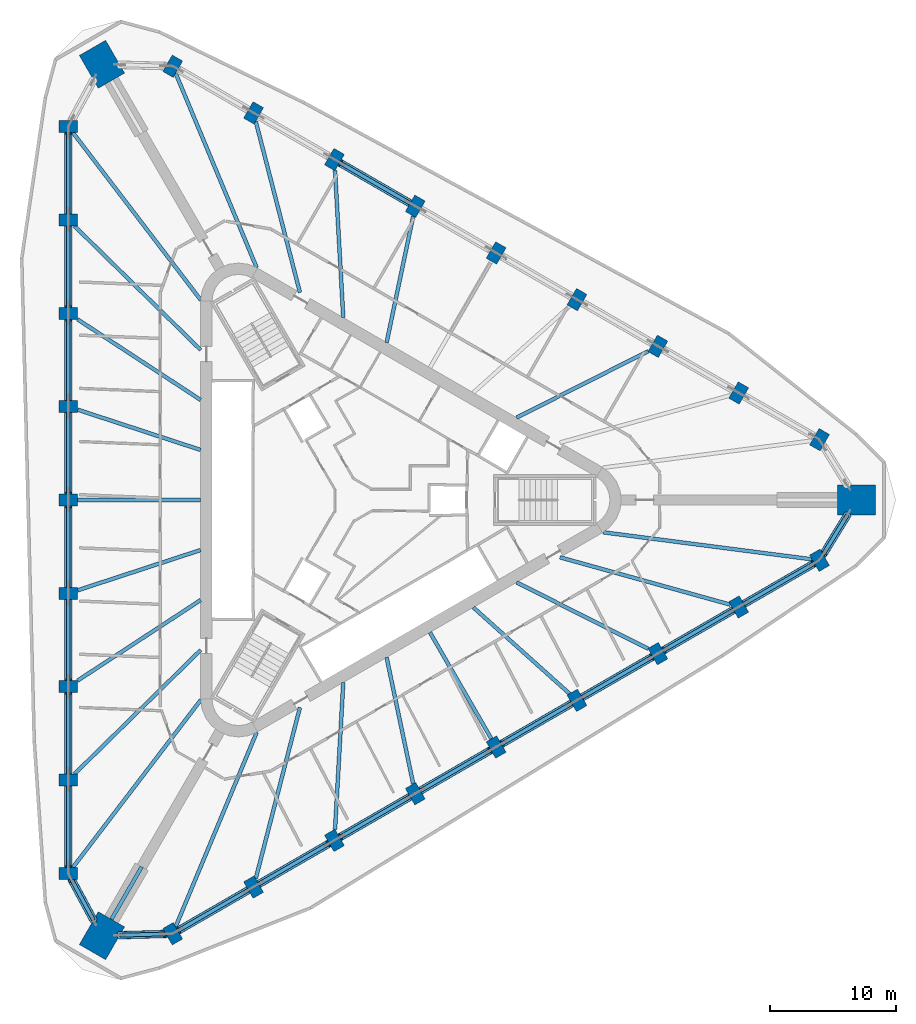
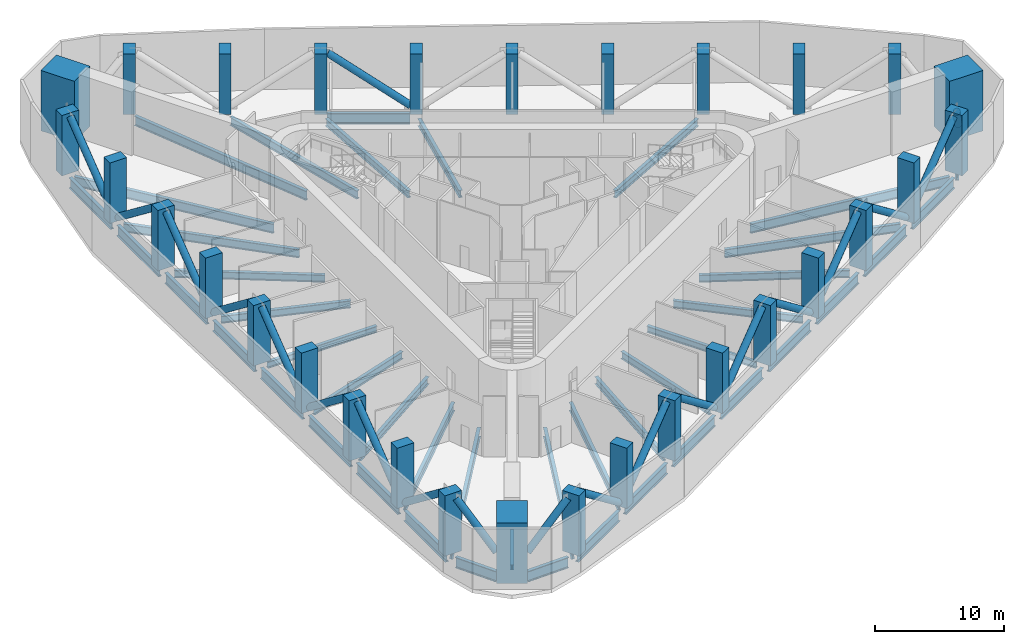
# One storey, part 1 of 13: 44 beams, 30 columns, 20 members.
"""IFC4 building model written with IfcOpenShell, lengths in metres."""

import ifcopenshell
import ifcopenshell.guid

model = None  # the IFC model being written
_history = None  # IfcOwnerHistory: only IFC2X3 demands one
_inside = {}  # id of a spatial element -> (the spatial element, [elements in it])
_under = {}  # id of a project, library or spatial element -> (it, [spatial elements below it])
_declared = {}  # id of a project -> (the project, [libraries it declares])
_typed = {}  # id of a type object -> (the type object, [elements of that type])
_made_of = {}  # id of a material, layer set ... -> (it, [elements and type objects made of it])


def new_model(schema):
    """Start an empty IFC model of exactly this schema.

    Asked for "IFC4X3", IfcOpenShell would pick the latest addendum, in which some entities
    have other attributes; the version numbers below select the first issue.
    IFC2X3 requires an IfcOwnerHistory on every rooted entity: one is made here for all.
    """
    global model, _history
    if schema == "IFC4X3":
        model = ifcopenshell.file(schema_version=(4, 3, 0, 0))
    else:
        model = ifcopenshell.file(schema=schema)
    _inside.clear()
    _under.clear()
    _declared.clear()
    _typed.clear()
    _made_of.clear()
    _history = None
    if model.schema == "IFC2X3":
        org = make("IfcOrganization", Name="unknown")
        user = make(
            "IfcPersonAndOrganization",
            ThePerson=make("IfcPerson", FamilyName="unknown"),
            TheOrganization=org,
        )
        app = make(
            "IfcApplication",
            ApplicationDeveloper=org,
            Version="unknown",
            ApplicationFullName="unknown",
            ApplicationIdentifier="unknown",
        )
        _history = make(
            "IfcOwnerHistory",
            OwningUser=user,
            OwningApplication=app,
            ChangeAction="ADDED",
            CreationDate=0,
        )
    return model


def make(cls, **values):
    """One entity of the class cls with the attributes given. An attribute that is None is left unset."""
    return model.create_entity(
        cls, **{name: value for name, value in values.items() if value is not None}
    )


def rooted(cls, **values):
    """An entity with a GlobalId (a new one), such as an element, a storey or a relation."""
    return make(cls, GlobalId=ifcopenshell.guid.new(), OwnerHistory=_history, **values)


def si_unit(unit_type, name, prefix=None):
    """IfcSIUnit, for example si_unit("LENGTHUNIT", "METRE", prefix="MILLI")."""
    return make("IfcSIUnit", UnitType=unit_type, Prefix=prefix, Name=name)


def assignment(units):
    """IfcUnitAssignment: the units of a project."""
    return None if units is None else make("IfcUnitAssignment", Units=units)


def point(xyz):
    """IfcCartesianPoint."""
    return None if xyz is None else make("IfcCartesianPoint", Coordinates=xyz)


def direction(xyz):
    """IfcDirection."""
    return None if xyz is None else make("IfcDirection", DirectionRatios=xyz)


def frame(location, z_axis=None, x_axis=None):
    """IfcAxis2Placement3D, a coordinate frame: its origin and axes. An axis left out is left unset."""
    return make(
        "IfcAxis2Placement3D",
        Location=point(location),
        Axis=direction(z_axis),
        RefDirection=direction(x_axis),
    )


def frame_2d(location, x_axis=None):
    """IfcAxis2Placement2D, a coordinate frame in the plane: its origin and x axis."""
    return make(
        "IfcAxis2Placement2D", Location=point(location), RefDirection=direction(x_axis)
    )


def origin():
    """The frame at (0, 0, 0) with its axes left unset."""
    return frame((0.0, 0.0, 0.0))


def origin_2d():
    """The frame at (0, 0) in the plane with its x axis left unset."""
    return frame_2d((0.0, 0.0))


def place(relative_to, where):
    """IfcLocalPlacement: puts the frame where relative to a parent placement (None: the world)."""
    return make(
        "IfcLocalPlacement", PlacementRelTo=relative_to, RelativePlacement=where
    )


def context(
    kind, dimensions, precision=None, world=None, true_north=None, identifier=None
):
    """IfcGeometricRepresentationContext, for example the 3D "Model" context."""
    return make(
        "IfcGeometricRepresentationContext",
        ContextIdentifier=identifier,
        ContextType=kind,
        CoordinateSpaceDimension=dimensions,
        Precision=precision,
        WorldCoordinateSystem=world,
        TrueNorth=true_north,
    )


def subcontext(parent, identifier, kind, view, scale=None):
    """IfcGeometricRepresentationSubContext, for example "Body" below "Model"."""
    return make(
        "IfcGeometricRepresentationSubContext",
        ContextIdentifier=identifier,
        ContextType=kind,
        ParentContext=parent,
        TargetScale=scale,
        TargetView=view,
    )


def project(units=None, contexts=None):
    """IfcProject with its units and contexts."""
    return rooted(
        "IfcProject",
        Name="project",
        RepresentationContexts=contexts,
        UnitsInContext=assignment(units),
    )


def spatial(cls, under=None, at=None, **own):
    """A site, building, storey or space (cls), placed at a placement, below another one or the project."""
    s = rooted(cls, ObjectPlacement=at, **own)
    if under is not None:
        _under.setdefault(under.id(), (under, []))[1].append(s)
    return s


def profile(cls, at=None, kind="AREA", **sizes):
    """A parametric profile (cls). Its sizes go by their IFC names, for example OverallWidth=200.0."""
    return make(cls, ProfileType=kind, Position=at, **sizes)


def rectangle(**sizes):
    """IfcRectangleProfileDef."""
    return profile("IfcRectangleProfileDef", **sizes)


def hollow_circle(**sizes):
    """IfcCircleHollowProfileDef."""
    return profile("IfcCircleHollowProfileDef", **sizes)


def i_section(**sizes):
    """IfcIShapeProfileDef."""
    return profile("IfcIShapeProfileDef", **sizes)


def extrude(swept, where, along, depth):
    """IfcExtrudedAreaSolid: the profile swept, set in the frame where, extruded along a direction by depth."""
    return make(
        "IfcExtrudedAreaSolid",
        SweptArea=swept,
        Position=where,
        ExtrudedDirection=direction(along),
        Depth=depth,
    )


def shape(context_of_items, identifier, shape_type, items):
    """IfcShapeRepresentation: the items that make up one representation, for example the "Body"."""
    return make(
        "IfcShapeRepresentation",
        ContextOfItems=context_of_items,
        RepresentationIdentifier=identifier,
        RepresentationType=shape_type,
        Items=items,
    )


def material(Name=None, Category=None):
    """IfcMaterial."""
    return make("IfcMaterial", Name=Name, Category=Category)


def material_profile(
    of_material, cross_section, Name=None, Category=None, Priority=None
):
    """IfcMaterialProfile: a cross section and its material."""
    return make(
        "IfcMaterialProfile",
        Name=Name,
        Material=of_material,
        Profile=cross_section,
        Priority=Priority,
        Category=Category,
    )


def profile_set(profiles, Name=None, composite=None):
    """IfcMaterialProfileSet."""
    return make(
        "IfcMaterialProfileSet",
        Name=Name,
        MaterialProfiles=profiles,
        CompositeProfile=composite,
    )


def made_of(thing, what):
    """Note that an element or type object is made of a material, layer set ...; save() writes the relation."""
    if what is not None:
        _made_of.setdefault(what.id(), (what, []))[1].append(thing)
    return thing


def type_object(cls, material=None, **own):
    """A type object (cls), such as IfcWallType, which elements share."""
    return made_of(rooted(cls, **own), material)


def element(
    cls,
    number,
    at=None,
    inside=None,
    cuts=None,
    type_object=None,
    material=None,
    context=None,
    identifier="Body",
    shape_type=None,
    held_by="IfcProductDefinitionShape",
    body=None,
    shapes=None,
    **own,
):
    """One element of the class cls, such as IfcWall. Its Tag is "e" and its number.

    at: its placement. inside: the storey or other place that contains it. cuts: it is an
    opening in that element (IfcRelVoidsElement). A single representation is given by context,
    identifier, shape_type and body (its items); several are given by shapes. held_by: the class
    of the entity that holds the representations. save() writes the other relations.
    """
    e = rooted(cls, Tag="e%d" % number, ObjectPlacement=at, **own)
    if body is not None:
        shapes = [shape(context, identifier, shape_type, body)]
    if shapes is not None:
        e.Representation = make(held_by, Representations=shapes)
    if inside is not None:
        _inside.setdefault(inside.id(), (inside, []))[1].append(e)
    if cuts is not None:
        rooted(
            "IfcRelVoidsElement", RelatingBuildingElement=cuts, RelatedOpeningElement=e
        )
    if type_object is not None:
        _typed.setdefault(type_object.id(), (type_object, []))[1].append(e)
    return made_of(e, material)


def aggregate(whole, parts):
    """IfcRelAggregates: a whole, such as a stair, and the parts it consists of."""
    return rooted("IfcRelAggregates", RelatingObject=whole, RelatedObjects=parts)


def save(model, path):
    """Write the relations noted so far, then the file.

    IfcRelAggregates (storeys below a building ...), IfcRelContainedInSpatialStructure (elements
    in a storey), IfcRelDefinesByType, IfcRelAssociatesMaterial and IfcRelDeclares: one each for
    every whole, place, type object, material and project.
    """
    for whole, parts in _under.values():
        aggregate(whole, parts)
    for where, things in _inside.values():
        rooted(
            "IfcRelContainedInSpatialStructure",
            RelatedElements=things,
            RelatingStructure=where,
        )
    for kind, things in _typed.values():
        rooted("IfcRelDefinesByType", RelatedObjects=things, RelatingType=kind)
    for what, things in _made_of.values():
        rooted("IfcRelAssociatesMaterial", RelatedObjects=things, RelatingMaterial=what)
    for by, libraries in _declared.values():
        rooted("IfcRelDeclares", RelatingContext=by, RelatedDefinitions=libraries)
    model.write(path)


model = new_model("IFC4")

# Units and contexts
model_context = context("Model", 3, precision=1e-05, world=origin(), true_north=direction((0.0, 1.0)))
body_context = subcontext(model_context, "Body", "Model", "MODEL_VIEW")
ifc_project = project(units=[si_unit("LENGTHUNIT", "METRE"), si_unit("AREAUNIT", "SQUARE_METRE"), si_unit("VOLUMEUNIT", "CUBIC_METRE"), si_unit("PLANEANGLEUNIT", "RADIAN"), si_unit("MASSUNIT", "GRAM", prefix="KILO")], contexts=[model_context])

# Site, building, storey
site_placement = place(None, origin())
site = spatial("IfcSite", under=ifc_project, at=site_placement, CompositionType="ELEMENT")
building_placement = place(site_placement, origin())
building = spatial("IfcBuilding", under=site, at=building_placement, Name="Tanit Gate Tower", CompositionType="ELEMENT")
storey_placement = place(building_placement, frame((0.0, 0.0, 163.199951171875)))
storey = spatial("IfcBuildingStorey", under=building, at=storey_placement, Name="L35", CompositionType="ELEMENT", Elevation=163.199951171875)

# Columns
ifc_material_1 = material(Name="Concrete C70/85", Category="concrete")
ifc_material_profile_1 = material_profile(ifc_material_1, rectangle(XDim=3.0, YDim=2.39990234375, at=origin_2d()), Name="RC 3000x2400")
ifc_profile_set_1 = profile_set([ifc_material_profile_1], Name="Concrete C70/85")
column_type_1 = type_object("IfcColumnType", Name="MEGA COLUMN 3000x2400 C70/85", PredefinedType="COLUMN", material=ifc_profile_set_1)
for number, where, z_axis, x_axis, name in (
    (1, (39.830078125, 0.0, 0.0), (0.0, 0.0, 1.0), (1.0, 0.0, 0.0), "MEGA COLUMN"),
    (2, (-19.9150390625, 34.493896484375, 0.0), (0.0, 0.0, 1.0), (-0.5, 0.866025403784, 0.0), "MEGA COLUMN"),
    (3, (-19.9150390625, -34.493896484375, 0.0), (0.0, 0.0, 1.0), (-0.5, -0.866025403784, 0.0), "MEGA COLUMN"),
):
    element("IfcColumn", number, at=place(storey_placement, frame(where, z_axis=z_axis, x_axis=x_axis)), inside=storey, type_object=column_type_1, Name=name, PredefinedType="COLUMN", context=body_context, shape_type="SweptSolid", body=[
        extrude(rectangle(XDim=3.0, YDim=2.39990234375, at=origin_2d()), origin(), (0.0, 0.0, 1.0), 5.699951171875),
    ])
ifc_material_2 = material(Name="Concrete C60/75", Category="concrete")
ifc_material_profile_2 = material_profile(ifc_material_2, rectangle(XDim=1.5, YDim=0.949951171875, at=origin_2d()), Name="RC 1500x950")
ifc_profile_set_2 = profile_set([ifc_material_profile_2], Name="Concrete C60/75")
column_type_2 = type_object("IfcColumnType", Name="PERIMETER COLUMN 1500x950 C60/75", PredefinedType="COLUMN", material=ifc_profile_set_2)
for number, where, z_axis, x_axis, name in (
    (4, (-22.58251953125, 29.56591796875, 0.0), (0.0, 0.0, 1.0), (-1.0, 0.0, 0.0), "PERIMETER COLUMN"),
    (5, (-22.58251953125, 22.17431640625, 0.0), (0.0, 0.0, 1.0), (-1.0, 0.0, 0.0), "PERIMETER COLUMN"),
    (6, (-22.58251953125, 14.782958984375, 0.0), (0.0, 0.0, 1.0), (-1.0, 0.0, 0.0), "PERIMETER COLUMN"),
    (7, (-22.58251953125, 7.391357421875, 0.0), (0.0, 0.0, 1.0), (-1.0, 0.0, 0.0), "PERIMETER COLUMN"),
    (8, (-22.58251953125, 0.0, 0.0), (0.0, 0.0, 1.0), (-1.0, 0.0, 0.0), "PERIMETER COLUMN"),
    (9, (-22.58251953125, -7.391357421875, 0.0), (0.0, 0.0, 1.0), (-1.0, 0.0, 0.0), "PERIMETER COLUMN"),
    (10, (-22.58251953125, -14.782958984375, 0.0), (0.0, 0.0, 1.0), (-1.0, 0.0, 0.0), "PERIMETER COLUMN"),
    (11, (-22.58251953125, -22.17431640625, 0.0), (0.0, 0.0, 1.0), (-1.0, 0.0, 0.0), "PERIMETER COLUMN"),
    (12, (-22.58251953125, -29.56591796875, 0.0), (0.0, 0.0, 1.0), (-1.0, 0.0, 0.0), "PERIMETER COLUMN"),
    (13, (36.89599609375, 4.774169921875, 0.0), (0.0, 0.0, 1.0), (0.5, 0.866025403784, 0.0), "PERIMETER COLUMN"),
    (14, (30.494873046875, 8.4697265625, 0.0), (0.0, 0.0, 1.0), (0.5, 0.866025403784, 0.0), "PERIMETER COLUMN"),
    (15, (24.093505859375, 12.16552734375, 0.0), (0.0, 0.0, 1.0), (0.5, 0.866025403784, 0.0), "PERIMETER COLUMN"),
    (16, (17.6923828125, 15.861083984375, 0.0), (0.0, 0.0, 1.0), (0.5, 0.866025403784, 0.0), "PERIMETER COLUMN"),
    (17, (11.291259765625, 19.556884765625, 0.0), (0.0, 0.0, 1.0), (0.5, 0.866025403784, 0.0), "PERIMETER COLUMN"),
    (18, (4.889892578125, 23.252685546875, 0.0), (0.0, 0.0, 1.0), (0.5, 0.866025403784, 0.0), "PERIMETER COLUMN"),
    (19, (-1.510986328125, 26.948486328125, 0.0), (0.0, 0.0, 1.0), (0.5, 0.866025403784, 0.0), "PERIMETER COLUMN"),
    (20, (-7.912353515625, 30.64404296875, 0.0), (0.0, 0.0, 1.0), (0.5, 0.866025403784, 0.0), "PERIMETER COLUMN"),
    (21, (-14.3134765625, 34.33984375, 0.0), (0.0, 0.0, 1.0), (0.5, 0.866025403784, 0.0), "PERIMETER COLUMN"),
    (22, (-14.3134765625, -34.33984375, 0.0), (0.0, 0.0, 1.0), (0.5, -0.866025403784, 0.0), "PERIMETER COLUMN"),
    (23, (-7.912353515625, -30.64404296875, 0.0), (0.0, 0.0, 1.0), (0.5, -0.866025403784, 0.0), "PERIMETER COLUMN"),
    (24, (-1.510986328125, -26.948486328125, 0.0), (0.0, 0.0, 1.0), (0.5, -0.866025403784, 0.0), "PERIMETER COLUMN"),
    (25, (4.889892578125, -23.252685546875, 0.0), (0.0, 0.0, 1.0), (0.5, -0.866025403784, 0.0), "PERIMETER COLUMN"),
    (26, (11.291259765625, -19.556884765625, 0.0), (0.0, 0.0, 1.0), (0.5, -0.866025403784, 0.0), "PERIMETER COLUMN"),
    (27, (17.6923828125, -15.861083984375, 0.0), (0.0, 0.0, 1.0), (0.5, -0.866025403784, 0.0), "PERIMETER COLUMN"),
    (28, (24.093505859375, -12.16552734375, 0.0), (0.0, 0.0, 1.0), (0.5, -0.866025403784, 0.0), "PERIMETER COLUMN"),
    (29, (30.494873046875, -8.4697265625, 0.0), (0.0, 0.0, 1.0), (0.5, -0.866025403784, 0.0), "PERIMETER COLUMN"),
    (30, (36.89599609375, -4.774169921875, 0.0), (0.0, 0.0, 1.0), (0.5, -0.866025403784, 0.0), "PERIMETER COLUMN"),
):
    element("IfcColumn", number, at=place(storey_placement, frame(where, z_axis=z_axis, x_axis=x_axis)), inside=storey, type_object=column_type_2, Name=name, PredefinedType="COLUMN", context=body_context, shape_type="SweptSolid", body=[
        extrude(rectangle(XDim=1.5, YDim=0.949951171875, at=origin_2d()), origin(), (0.0, 0.0, 1.0), 5.699951171875),
    ])

# Beams
ifc_material_3 = material(Name="Steel S460", Category="steel")
ifc_material_profile_3 = material_profile(ifc_material_3, i_section(OverallWidth=0.302001953125, OverallDepth=1.008056640625, WebThickness=0.02099609375, FlangeThickness=0.0400390625, FilletRadius=0.030029296875, at=origin_2d()), Name="HEM 1000")
ifc_profile_set_3 = profile_set([ifc_material_profile_3], Name="Steel S460")
beam_type_1 = type_object("IfcBeamType", Name="BELT TRUSS CHORD HEM 1000 S460", PredefinedType="BEAM", material=ifc_profile_set_3)
for number, where, z_axis, x_axis, name in (
    (31, (-22.58251953125, -7.866455078125, -0.85400390625), (0.0, -1.0, 0.0), (1.0, 0.0, 0.0), "BELT TRUSS CHORD"),
    (32, (-22.58251953125, -15.2578125, -0.85400390625), (0.0, -1.0, 0.0), (1.0, 0.0, 0.0), "BELT TRUSS CHORD"),
    (33, (-22.58251953125, -22.6494140625, -0.85400390625), (0.0, -1.0, 0.0), (1.0, 0.0, 0.0), "BELT TRUSS CHORD"),
):
    element("IfcBeam", number, at=place(storey_placement, frame(where, z_axis=z_axis, x_axis=x_axis)), inside=storey, type_object=beam_type_1, Name=name, PredefinedType="BEAM", context=body_context, shape_type="SweptSolid", body=[
        extrude(i_section(OverallWidth=0.302001953125, OverallDepth=1.008056640625, WebThickness=0.02099609375, FlangeThickness=0.0400390625, FilletRadius=0.030029296875, at=origin_2d()), origin(), (0.0, 0.0, 1.0), 6.44140625),
    ])
beam_1_placement = place(storey_placement, frame((-22.3251953125, -30.040771484375, -0.85400390625), z_axis=(0.475943110339, -0.879476068873, 0.0), x_axis=(0.879476068873, 0.475943110339, 0.0)))
element("IfcBeam", 34, at=beam_1_placement, inside=storey, type_object=beam_type_1, Name="BELT TRUSS CHORD", PredefinedType="BEAM", context=body_context, shape_type="SweptSolid", body=[
    extrude(i_section(OverallWidth=0.302001953125, OverallDepth=1.008056640625, WebThickness=0.02099609375, FlangeThickness=0.0400390625, FilletRadius=0.030029296875, at=origin_2d()), origin(), (0.0, 0.0, 1.0), 3.65478515625),
])
beam_2_placement = place(storey_placement, frame((-18.507080078125, -34.455078125, -0.85400390625), z_axis=(0.999623075292, 0.027453730969, 0.0), x_axis=(-0.027453730969, 0.999623075292, 0.0)))
element("IfcBeam", 35, at=beam_2_placement, inside=storey, type_object=beam_type_1, Name="BELT TRUSS CHORD", PredefinedType="BEAM", context=body_context, shape_type="SweptSolid", body=[
    extrude(i_section(OverallWidth=0.302001953125, OverallDepth=1.008056640625, WebThickness=0.02099609375, FlangeThickness=0.0400390625, FilletRadius=0.030029296875, at=origin_2d()), origin(), (0.0, 0.0, 1.0), 3.655029296875),
])
for number, where, z_axis, x_axis, name in (
    (36, (-13.902099609375, -34.102294921875, -0.85400390625), (0.866023373617, 0.500003516336, 0.0), (-0.500003516336, 0.866023373617, 0.0), "BELT TRUSS CHORD"),
    (37, (-7.5009765625, -30.406494140625, -0.85400390625), (0.866023373617, 0.500003516336, 0.0), (-0.500003516336, 0.866023373617, 0.0), "BELT TRUSS CHORD"),
):
    element("IfcBeam", number, at=place(storey_placement, frame(where, z_axis=z_axis, x_axis=x_axis)), inside=storey, type_object=beam_type_1, Name=name, PredefinedType="BEAM", context=body_context, shape_type="SweptSolid", body=[
        extrude(i_section(OverallWidth=0.302001953125, OverallDepth=1.008056640625, WebThickness=0.02099609375, FlangeThickness=0.0400390625, FilletRadius=0.030029296875, at=origin_2d()), origin(), (0.0, 0.0, 1.0), 6.44140625),
    ])
beam_3_placement = place(storey_placement, frame((-1.099609375, -26.7109375, -0.85400390625), z_axis=(0.866013897511, 0.50001992892, 0.0), x_axis=(-0.50001992892, 0.866013897511, 0.0)))
element("IfcBeam", 38, at=beam_3_placement, inside=storey, type_object=beam_type_1, Name="BELT TRUSS CHORD", PredefinedType="BEAM", context=body_context, shape_type="SweptSolid", body=[
    extrude(i_section(OverallWidth=0.302001953125, OverallDepth=1.008056640625, WebThickness=0.02099609375, FlangeThickness=0.0400390625, FilletRadius=0.030029296875, at=origin_2d()), origin(), (0.0, 0.0, 1.0), 6.441162109375),
])
for number, where, z_axis, x_axis, name in (
    (39, (5.301513671875, -23.01513671875, -0.85400390625), (0.866023373617, 0.500003516336, 0.0), (-0.500003516336, 0.866023373617, 0.0), "BELT TRUSS CHORD"),
    (40, (11.70263671875, -19.319580078125, -0.85400390625), (0.866006961327, 0.500031941914, 0.0), (-0.500031941914, 0.866006961327, 0.0), "BELT TRUSS CHORD"),
    (41, (18.103759765625, -15.623779296875, -0.85400390625), (0.866023373617, 0.500003516336, 0.0), (-0.500003516336, 0.866023373617, 0.0), "BELT TRUSS CHORD"),
):
    element("IfcBeam", number, at=place(storey_placement, frame(where, z_axis=z_axis, x_axis=x_axis)), inside=storey, type_object=beam_type_1, Name=name, PredefinedType="BEAM", context=body_context, shape_type="SweptSolid", body=[
        extrude(i_section(OverallWidth=0.302001953125, OverallDepth=1.008056640625, WebThickness=0.02099609375, FlangeThickness=0.0400390625, FilletRadius=0.030029296875, at=origin_2d()), origin(), (0.0, 0.0, 1.0), 6.44140625),
    ])
beam_4_placement = place(storey_placement, frame((24.5048828125, -11.927978515625, -0.85400390625), z_axis=(0.86603284879, 0.49998710465, 0.0), x_axis=(-0.49998710465, 0.86603284879, 0.0)))
element("IfcBeam", 42, at=beam_4_placement, inside=storey, type_object=beam_type_1, Name="BELT TRUSS CHORD", PredefinedType="BEAM", context=body_context, shape_type="SweptSolid", body=[
    extrude(i_section(OverallWidth=0.302001953125, OverallDepth=1.008056640625, WebThickness=0.02099609375, FlangeThickness=0.0400390625, FilletRadius=0.030029296875, at=origin_2d()), origin(), (0.0, 0.0, 1.0), 6.441650390625),
])
beam_5_placement = place(storey_placement, frame((30.90625, -8.232421875, -0.85400390625), z_axis=(0.866023373617, 0.500003516336, 0.0), x_axis=(-0.500003516336, 0.866023373617, 0.0)))
element("IfcBeam", 43, at=beam_5_placement, inside=storey, type_object=beam_type_1, Name="BELT TRUSS CHORD", PredefinedType="BEAM", context=body_context, shape_type="SweptSolid", body=[
    extrude(i_section(OverallWidth=0.302001953125, OverallDepth=1.008056640625, WebThickness=0.02099609375, FlangeThickness=0.0400390625, FilletRadius=0.030029296875, at=origin_2d()), origin(), (0.0, 0.0, 1.0), 6.44140625),
])
beam_6_placement = place(storey_placement, frame((37.1787109375, -4.31396484375, -0.85400390625), z_axis=(0.523601681964, 0.851963190898, 0.0), x_axis=(-0.851963190898, 0.523601681964, 0.0)))
element("IfcBeam", 44, at=beam_6_placement, inside=storey, type_object=beam_type_1, Name="BELT TRUSS CHORD", PredefinedType="BEAM", context=body_context, shape_type="SweptSolid", body=[
    extrude(i_section(OverallWidth=0.302001953125, OverallDepth=1.008056640625, WebThickness=0.02099609375, FlangeThickness=0.0400390625, FilletRadius=0.030029296875, at=origin_2d()), origin(), (0.0, 0.0, 1.0), 3.655029296875),
])
beam_7_placement = place(storey_placement, frame((4.478515625, 23.490234375, -0.85400390625), z_axis=(-0.866013897511, 0.50001992892, 0.0), x_axis=(-0.50001992892, -0.866013897511, 0.0)))
element("IfcBeam", 45, at=beam_7_placement, inside=storey, type_object=beam_type_1, Name="BELT TRUSS CHORD", PredefinedType="BEAM", context=body_context, shape_type="SweptSolid", body=[
    extrude(i_section(OverallWidth=0.302001953125, OverallDepth=1.008056640625, WebThickness=0.02099609375, FlangeThickness=0.0400390625, FilletRadius=0.030029296875, at=origin_2d()), origin(), (0.0, 0.0, 1.0), 6.441162109375),
])
for number, where, z_axis, x_axis, name in (
    (46, (-22.58251953125, 29.0908203125, -0.85400390625), (0.0, -1.0, 0.0), (1.0, 0.0, 0.0), "BELT TRUSS CHORD"),
    (47, (-22.58251953125, 21.69921875, -0.85400390625), (0.0, -1.0, 0.0), (1.0, 0.0, 0.0), "BELT TRUSS CHORD"),
    (48, (-22.58251953125, 14.307861328125, -0.85400390625), (0.0, -1.0, 0.0), (1.0, 0.0, 0.0), "BELT TRUSS CHORD"),
    (49, (-22.58251953125, 6.91650390625, -0.85400390625), (0.0, -1.0, 0.0), (1.0, 0.0, 0.0), "BELT TRUSS CHORD"),
    (50, (-22.58251953125, -0.47509765625, -0.85400390625), (0.0, -1.0, 0.0), (1.0, 0.0, 0.0), "BELT TRUSS CHORD"),
):
    element("IfcBeam", number, at=place(storey_placement, frame(where, z_axis=z_axis, x_axis=x_axis)), inside=storey, type_object=beam_type_1, Name=name, PredefinedType="BEAM", context=body_context, shape_type="SweptSolid", body=[
        extrude(i_section(OverallWidth=0.302001953125, OverallDepth=1.008056640625, WebThickness=0.02099609375, FlangeThickness=0.0400390625, FilletRadius=0.030029296875, at=origin_2d()), origin(), (0.0, 0.0, 1.0), 6.44140625),
    ])

# Members
ifc_material_4 = material(Name="Steel S460", Category="steel")
ifc_material_profile_4 = material_profile(ifc_material_4, hollow_circle(Radius=0.304931640625, WallThickness=0.02490234375, at=origin_2d()), Name="CHS 610x25")
ifc_profile_set_4 = profile_set([ifc_material_profile_4], Name="Steel S460")
member_type = type_object("IfcMemberType", Name="BELT TRUSS DIAGONAL CHS 610x25 S460", PredefinedType="BRACE", material=ifc_profile_set_4)
for number, where, z_axis, x_axis, name in (
    (51, (-22.58251953125, -7.866455078125, 0.366455078125), (0.0, -0.791889243153, 0.610664741555), (1.0, 0.0, 0.0), "BELT TRUSS DIAGONAL"),
    (52, (-22.58251953125, -15.2578125, 5.333740234375), (0.0, -0.791889243153, -0.610664741555), (1.0, 0.0, 0.0), "BELT TRUSS DIAGONAL"),
    (53, (-22.58251953125, -22.6494140625, 0.366455078125), (0.0, -0.791889243153, 0.610664741555), (1.0, 0.0, 0.0), "BELT TRUSS DIAGONAL"),
):
    element("IfcMember", number, at=place(storey_placement, frame(where, z_axis=z_axis, x_axis=x_axis)), inside=storey, type_object=member_type, Name=name, PredefinedType="BRACE", context=body_context, shape_type="SweptSolid", body=[
        extrude(hollow_circle(Radius=0.304931640625, WallThickness=0.02490234375, at=origin_2d()), origin(), (0.0, 0.0, 1.0), 8.13427734375),
    ])
member_1_placement = place(storey_placement, frame((-22.3251953125, -30.040771484375, 5.150634765625), z_axis=(0.333699884015, -0.616544018095, -0.713104383074), x_axis=(0.879448107467, 0.475994775468, 0.0)))
element("IfcMember", 54, at=member_1_placement, inside=storey, type_object=member_type, Name="BELT TRUSS DIAGONAL", PredefinedType="BRACE", context=body_context, shape_type="SweptSolid", body=[
    extrude(hollow_circle(Radius=0.304931640625, WallThickness=0.02490234375, at=origin_2d()), origin(), (0.0, 0.0, 1.0), 5.213623046875),
])
member_2_placement = place(storey_placement, frame((-18.507080078125, -34.455078125, 1.432861328125), z_axis=(0.70079101275, 0.019246582442, 0.713106952366), x_axis=(-0.027453730969, 0.999623075292, 0.0)))
element("IfcMember", 55, at=member_2_placement, inside=storey, type_object=member_type, Name="BELT TRUSS DIAGONAL", PredefinedType="BRACE", context=body_context, shape_type="SweptSolid", body=[
    extrude(hollow_circle(Radius=0.304931640625, WallThickness=0.02490234375, at=origin_2d()), origin(), (0.0, 0.0, 1.0), 5.21337890625),
])
for number, where, z_axis, x_axis, name in (
    (56, (-13.902099609375, -34.102294921875, 5.333740234375), (0.685792795347, 0.395946367728, -0.610667434642), (-0.500003516336, 0.866023373617, 0.0), "BELT TRUSS DIAGONAL"),
    (57, (-7.5009765625, -30.406494140625, 0.366455078125), (0.685808692987, 0.39593821785, 0.610654865099), (-0.49998710465, 0.86603284879, 0.0), "BELT TRUSS DIAGONAL"),
    (58, (-1.099853515625, -26.7109375, 5.333740234375), (0.685808692987, 0.39593821785, -0.610654865099), (-0.49998710465, 0.86603284879, 0.0), "BELT TRUSS DIAGONAL"),
    (59, (5.30126953125, -23.01513671875, 0.366455078125), (0.685808692987, 0.39593821785, 0.610654865099), (-0.49998710465, 0.86603284879, 0.0), "BELT TRUSS DIAGONAL"),
    (60, (11.70263671875, -19.319580078125, 5.333740234375), (0.685784645233, 0.395971675984, -0.610660177334), (-0.500031941914, 0.866006961327, 0.0), "BELT TRUSS DIAGONAL"),
    (61, (18.103759765625, -15.623779296875, 0.366455078125), (0.685792795347, 0.395946367728, 0.610667434642), (-0.500003516336, 0.866023373617, 0.0), "BELT TRUSS DIAGONAL"),
    (62, (24.5048828125, -11.927978515625, 5.333740234375), (0.685808692987, 0.39593821785, -0.610654865099), (-0.49998710465, 0.86603284879, 0.0), "BELT TRUSS DIAGONAL"),
):
    element("IfcMember", number, at=place(storey_placement, frame(where, z_axis=z_axis, x_axis=x_axis)), inside=storey, type_object=member_type, Name=name, PredefinedType="BRACE", context=body_context, shape_type="SweptSolid", body=[
        extrude(hollow_circle(Radius=0.304931640625, WallThickness=0.02490234375, at=origin_2d()), origin(), (0.0, 0.0, 1.0), 8.13427734375),
    ])
member_3_placement = place(storey_placement, frame((30.90625, -8.232177734375, 0.366455078125), z_axis=(0.685800945135, 0.39592105857, 0.610674691659), x_axis=(-0.499975089142, 0.866039785597, 0.0)))
element("IfcMember", 63, at=member_3_placement, inside=storey, type_object=member_type, Name="BELT TRUSS DIAGONAL", PredefinedType="BRACE", context=body_context, shape_type="SweptSolid", body=[
    extrude(hollow_circle(Radius=0.304931640625, WallThickness=0.02490234375, at=origin_2d()), origin(), (0.0, 0.0, 1.0), 8.134033203125),
])
member_4_placement = place(storey_placement, frame((37.1787109375, -4.31396484375, 5.150634765625), z_axis=(0.367081957181, 0.597286690119, -0.713091471355), x_axis=(-0.851963190898, 0.523601681964, 0.0)))
element("IfcMember", 64, at=member_4_placement, inside=storey, type_object=member_type, Name="BELT TRUSS DIAGONAL", PredefinedType="BRACE", context=body_context, shape_type="SweptSolid", body=[
    extrude(hollow_circle(Radius=0.304931640625, WallThickness=0.02490234375, at=origin_2d()), origin(), (0.0, 0.0, 1.0), 5.213623046875),
])
for number, where, z_axis, x_axis, name in (
    (65, (4.478759765625, 23.490234375, 0.366455078125), (-0.685808692987, 0.39593821785, 0.610654865099), (-0.49998710465, -0.86603284879, 0.0), "BELT TRUSS DIAGONAL"),
    (66, (-22.58251953125, 29.0908203125, 5.333740234375), (0.0, -0.791889243153, -0.610664741555), (1.0, 0.0, 0.0), "BELT TRUSS DIAGONAL"),
    (67, (-22.58251953125, 21.69921875, 0.366455078125), (0.0, -0.791889243153, 0.610664741555), (1.0, 0.0, 0.0), "BELT TRUSS DIAGONAL"),
    (68, (-22.58251953125, 14.307861328125, 5.333740234375), (0.0, -0.791889243153, -0.610664741555), (1.0, 0.0, 0.0), "BELT TRUSS DIAGONAL"),
    (69, (-22.58251953125, 6.91650390625, 0.366455078125), (0.0, -0.791889243153, 0.610664741555), (1.0, 0.0, 0.0), "BELT TRUSS DIAGONAL"),
    (70, (-22.58251953125, -0.47509765625, 5.333740234375), (0.0, -0.791889243153, -0.610664741555), (1.0, 0.0, 0.0), "BELT TRUSS DIAGONAL"),
):
    element("IfcMember", number, at=place(storey_placement, frame(where, z_axis=z_axis, x_axis=x_axis)), inside=storey, type_object=member_type, Name=name, PredefinedType="BRACE", context=body_context, shape_type="SweptSolid", body=[
        extrude(hollow_circle(Radius=0.304931640625, WallThickness=0.02490234375, at=origin_2d()), origin(), (0.0, 0.0, 1.0), 8.13427734375),
    ])

# Beams
ifc_material_5 = material(Name="Steel S355", Category="steel")
ifc_material_profile_5 = material_profile(ifc_material_5, i_section(OverallWidth=0.300048828125, OverallDepth=0.489990234375, WebThickness=0.011962890625, FlangeThickness=0.02294921875, FilletRadius=0.027099609375, at=origin_2d()), Name="HEA 500")
ifc_profile_set_5 = profile_set([ifc_material_profile_5], Name="Steel S355")
beam_type_2 = type_object("IfcBeamType", Name="RADIAL GIRDER HEA 500 S355", PredefinedType="BEAM", material=ifc_profile_set_5)
beam_8_placement = place(storey_placement, frame((-19.1650390625, -33.19482421875, -0.594970703125), z_axis=(0.499998569178, 0.866026229868, 0.0), x_axis=(-0.866026229868, 0.499998569178, 0.0)))
element("IfcBeam", 71, at=beam_8_placement, inside=storey, type_object=beam_type_2, Name="RADIAL GIRDER", PredefinedType="BEAM", context=body_context, shape_type="SweptSolid", body=[
    extrude(i_section(OverallWidth=0.300048828125, OverallDepth=0.489990234375, WebThickness=0.011962890625, FlangeThickness=0.02294921875, FilletRadius=0.027099609375, at=origin_2d()), origin(), (0.0, 0.0, 1.0), 4.79638671875),
])
ifc_material_6 = material(Name="Steel S355", Category="steel")
ifc_material_profile_6 = material_profile(ifc_material_6, i_section(OverallWidth=0.300048828125, OverallDepth=0.68994140625, WebThickness=0.014404296875, FlangeThickness=0.027099609375, FilletRadius=0.027099609375, at=origin_2d()), Name="HEA 700")
ifc_profile_set_6 = profile_set([ifc_material_profile_6], Name="Steel S355")
beam_type_3 = type_object("IfcBeamType", Name="RADIAL GIRDER HEA 700 S355", PredefinedType="BEAM", material=ifc_profile_set_6)
beam_9_placement = place(storey_placement, frame((-21.83251953125, -7.14599609375, -0.695068359375), z_axis=(0.950388541719, 0.311065298242, 0.0), x_axis=(-0.311065298242, 0.950388541719, 0.0)))
element("IfcBeam", 72, at=beam_9_placement, inside=storey, type_object=beam_type_3, Name="RADIAL GIRDER", PredefinedType="BEAM", context=body_context, shape_type="SweptSolid", body=[
    extrude(i_section(OverallWidth=0.300048828125, OverallDepth=0.68994140625, WebThickness=0.014404296875, FlangeThickness=0.027099609375, FilletRadius=0.027099609375, at=origin_2d()), origin(), (0.0, 0.0, 1.0), 10.238525390625),
])
beam_10_placement = place(storey_placement, frame((-21.856689453125, -14.307861328125, -0.695068359375), z_axis=(0.836666622901, 0.547712481256, 0.0), x_axis=(-0.547712481256, 0.836666622901, 0.0)))
element("IfcBeam", 73, at=beam_10_placement, inside=storey, type_object=beam_type_3, Name="RADIAL GIRDER", PredefinedType="BEAM", context=body_context, shape_type="SweptSolid", body=[
    extrude(i_section(OverallWidth=0.300048828125, OverallDepth=0.68994140625, WebThickness=0.014404296875, FlangeThickness=0.027099609375, FilletRadius=0.027099609375, at=origin_2d()), origin(), (0.0, 0.0, 1.0), 11.658935546875),
])
beam_11_placement = place(storey_placement, frame((-1.46240234375, -26.08251953125, -0.695068359375), z_axis=(0.055972182093, 0.998432328619, 0.0), x_axis=(-0.998432328619, 0.055972182093, 0.0)))
element("IfcBeam", 74, at=beam_11_placement, inside=storey, type_object=beam_type_3, Name="RADIAL GIRDER", PredefinedType="BEAM", context=body_context, shape_type="SweptSolid", body=[
    extrude(i_section(OverallWidth=0.300048828125, OverallDepth=0.68994140625, WebThickness=0.014404296875, FlangeThickness=0.027099609375, FilletRadius=0.027099609375, at=origin_2d()), origin(), (0.0, 0.0, 1.0), 11.6591796875),
])
beam_12_placement = place(storey_placement, frame((4.7275390625, -22.48046875, -0.695068359375), z_axis=(-0.205786947525, 0.978596818015, 0.0), x_axis=(-0.978596818015, -0.205786947525, 0.0)))
element("IfcBeam", 75, at=beam_12_placement, inside=storey, type_object=beam_type_3, Name="RADIAL GIRDER", PredefinedType="BEAM", context=body_context, shape_type="SweptSolid", body=[
    extrude(i_section(OverallWidth=0.300048828125, OverallDepth=0.68994140625, WebThickness=0.014404296875, FlangeThickness=0.027099609375, FilletRadius=0.027099609375, at=origin_2d()), origin(), (0.0, 0.0, 1.0), 10.238525390625),
])
beam_13_placement = place(storey_placement, frame((17.104736328125, -15.33447265625, -0.695068359375), z_axis=(-0.744579249177, 0.667534075307, 0.0), x_axis=(-0.667534075307, -0.744579249177, 0.0)))
element("IfcBeam", 76, at=beam_13_placement, inside=storey, type_object=beam_type_3, Name="RADIAL GIRDER", PredefinedType="BEAM", context=body_context, shape_type="SweptSolid", body=[
    extrude(i_section(OverallWidth=0.300048828125, OverallDepth=0.68994140625, WebThickness=0.014404296875, FlangeThickness=0.027099609375, FilletRadius=0.027099609375, at=origin_2d()), origin(), (0.0, 0.0, 1.0), 10.23828125),
])
for number, where, z_axis, x_axis, name in (
    (77, (23.3193359375, -11.774658203125, -0.695068359375), (-0.892657080142, 0.450736438811, 0.0), (-0.450736438811, -0.892657080142, 0.0), "RADIAL GIRDER"),
    (78, (23.3193359375, 11.774658203125, -0.695068359375), (-0.892657080142, -0.450736438811, 0.0), (0.450736438811, -0.892657080142, 0.0), "RADIAL GIRDER"),
):
    element("IfcBeam", number, at=place(storey_placement, frame(where, z_axis=z_axis, x_axis=x_axis)), inside=storey, type_object=beam_type_3, Name=name, PredefinedType="BEAM", context=body_context, shape_type="SweptSolid", body=[
        extrude(i_section(OverallWidth=0.300048828125, OverallDepth=0.68994140625, WebThickness=0.014404296875, FlangeThickness=0.027099609375, FilletRadius=0.027099609375, at=origin_2d()), origin(), (0.0, 0.0, 1.0), 11.658935546875),
    ])
beam_14_placement = place(storey_placement, frame((4.7275390625, 22.48046875, -0.695068359375), z_axis=(-0.205786947525, -0.978596818015, 0.0), x_axis=(0.978596818015, -0.205786947525, 0.0)))
element("IfcBeam", 79, at=beam_14_placement, inside=storey, type_object=beam_type_3, Name="RADIAL GIRDER", PredefinedType="BEAM", context=body_context, shape_type="SweptSolid", body=[
    extrude(i_section(OverallWidth=0.300048828125, OverallDepth=0.68994140625, WebThickness=0.014404296875, FlangeThickness=0.027099609375, FilletRadius=0.027099609375, at=origin_2d()), origin(), (0.0, 0.0, 1.0), 10.238525390625),
])
beam_15_placement = place(storey_placement, frame((-1.46240234375, 26.08251953125, -0.695068359375), z_axis=(0.055972182093, -0.998432328619, 0.0), x_axis=(0.998432328619, 0.055972182093, 0.0)))
element("IfcBeam", 80, at=beam_15_placement, inside=storey, type_object=beam_type_3, Name="RADIAL GIRDER", PredefinedType="BEAM", context=body_context, shape_type="SweptSolid", body=[
    extrude(i_section(OverallWidth=0.300048828125, OverallDepth=0.68994140625, WebThickness=0.014404296875, FlangeThickness=0.027099609375, FilletRadius=0.027099609375, at=origin_2d()), origin(), (0.0, 0.0, 1.0), 11.6591796875),
])
beam_16_placement = place(storey_placement, frame((-21.856689453125, 14.307861328125, -0.695068359375), z_axis=(0.836666622901, -0.547712481256, 0.0), x_axis=(0.547712481256, 0.836666622901, 0.0)))
element("IfcBeam", 81, at=beam_16_placement, inside=storey, type_object=beam_type_3, Name="RADIAL GIRDER", PredefinedType="BEAM", context=body_context, shape_type="SweptSolid", body=[
    extrude(i_section(OverallWidth=0.300048828125, OverallDepth=0.68994140625, WebThickness=0.014404296875, FlangeThickness=0.027099609375, FilletRadius=0.027099609375, at=origin_2d()), origin(), (0.0, 0.0, 1.0), 11.658935546875),
])
beam_17_placement = place(storey_placement, frame((-21.83251953125, 7.14599609375, -0.695068359375), z_axis=(0.950388541719, -0.311065298242, 0.0), x_axis=(0.311065298242, 0.950388541719, 0.0)))
element("IfcBeam", 82, at=beam_17_placement, inside=storey, type_object=beam_type_3, Name="RADIAL GIRDER", PredefinedType="BEAM", context=body_context, shape_type="SweptSolid", body=[
    extrude(i_section(OverallWidth=0.300048828125, OverallDepth=0.68994140625, WebThickness=0.014404296875, FlangeThickness=0.027099609375, FilletRadius=0.027099609375, at=origin_2d()), origin(), (0.0, 0.0, 1.0), 10.238525390625),
])
ifc_material_7 = material(Name="Steel S355", Category="steel")
ifc_material_profile_7 = material_profile(ifc_material_7, i_section(OverallWidth=0.300048828125, OverallDepth=0.7900390625, WebThickness=0.014892578125, FlangeThickness=0.028076171875, FilletRadius=0.030029296875, at=origin_2d()), Name="HEA 800")
ifc_profile_set_7 = profile_set([ifc_material_profile_7], Name="Steel S355")
beam_type_4 = type_object("IfcBeamType", Name="RADIAL GIRDER HEA 800 S355", PredefinedType="BEAM", material=ifc_profile_set_7)
for number, where, z_axis, x_axis, name in (
    (83, (-22.0986328125, -21.69921875, -0.744873046875), (0.713525004951, 0.70062976479, 0.0), (-0.70062976479, 0.713525004951, 0.0), "RADIAL GIRDER"),
    (84, (-7.742919921875, -29.98779296875, -0.744873046875), (0.250007137307, 0.968243993679, 0.0), (-0.968243993679, 0.250007137307, 0.0), "RADIAL GIRDER"),
    (85, (29.841552734375, -8.288330078125, -0.744873046875), (-0.9635276455, 0.267608812181, 0.0), (-0.267608812181, -0.9635276455, 0.0), "RADIAL GIRDER"),
    (86, (-7.742919921875, 29.98779296875, -0.744873046875), (0.250007137307, -0.968243993679, 0.0), (0.968243993679, 0.250007137307, 0.0), "RADIAL GIRDER"),
    (87, (-22.0986328125, 21.69921875, -0.744873046875), (0.713525004951, -0.70062976479, 0.0), (0.70062976479, 0.713525004951, 0.0), "RADIAL GIRDER"),
):
    element("IfcBeam", number, at=place(storey_placement, frame(where, z_axis=z_axis, x_axis=x_axis)), inside=storey, type_object=beam_type_4, Name=name, PredefinedType="BEAM", context=body_context, shape_type="SweptSolid", body=[
        extrude(i_section(OverallWidth=0.300048828125, OverallDepth=0.7900390625, WebThickness=0.014892578125, FlangeThickness=0.028076171875, FilletRadius=0.030029296875, at=origin_2d()), origin(), (0.0, 0.0, 1.0), 14.01025390625),
    ])
ifc_material_8 = material(Name="Steel S355", Category="steel")
ifc_material_profile_8 = material_profile(ifc_material_8, i_section(OverallWidth=0.300048828125, OverallDepth=0.889892578125, WebThickness=0.01611328125, FlangeThickness=0.030029296875, FilletRadius=0.030029296875, at=origin_2d()), Name="HEA 900")
ifc_profile_set_8 = profile_set([ifc_material_profile_8], Name="Steel S355")
beam_type_5 = type_object("IfcBeamType", Name="RADIAL GIRDER HEA 900 S355", PredefinedType="BEAM", material=ifc_profile_set_8)
for number, where, z_axis, x_axis, name in (
    (88, (-22.219482421875, -29.0908203125, -0.794921875), (0.606989396765, 0.794709929606, 0.0), (-0.794709929606, 0.606989396765, 0.0), "RADIAL GIRDER"),
    (89, (-14.08349609375, -33.7880859375, -0.794921875), (0.384731757577, 0.923028425733, 0.0), (-0.923028425733, 0.384731757577, 0.0), "RADIAL GIRDER"),
):
    element("IfcBeam", number, at=place(storey_placement, frame(where, z_axis=z_axis, x_axis=x_axis)), inside=storey, type_object=beam_type_5, Name=name, PredefinedType="BEAM", context=body_context, shape_type="SweptSolid", body=[
        extrude(i_section(OverallWidth=0.300048828125, OverallDepth=0.889892578125, WebThickness=0.01611328125, FlangeThickness=0.030029296875, FilletRadius=0.030029296875, at=origin_2d()), origin(), (0.0, 0.0, 1.0), 16.68359375),
    ])
beam_18_placement = place(storey_placement, frame((36.302978515625, -4.697509765625, -0.794921875), z_axis=(-0.991730467471, 0.128338146668, 0.0), x_axis=(-0.128338146668, -0.991730467471, 0.0)))
element("IfcBeam", 90, at=beam_18_placement, inside=storey, type_object=beam_type_5, Name="RADIAL GIRDER", PredefinedType="BEAM", context=body_context, shape_type="SweptSolid", body=[
    extrude(i_section(OverallWidth=0.300048828125, OverallDepth=0.889892578125, WebThickness=0.01611328125, FlangeThickness=0.030029296875, FilletRadius=0.030029296875, at=origin_2d()), origin(), (0.0, 0.0, 1.0), 16.683349609375),
])
for number, where, z_axis, x_axis, name in (
    (91, (-14.08349609375, 33.7880859375, -0.794921875), (0.384731757577, -0.923028425733, 0.0), (0.923028425733, 0.384731757577, 0.0), "RADIAL GIRDER"),
    (92, (-22.219482421875, 29.0908203125, -0.794921875), (0.606989396765, -0.794709929606, 0.0), (0.794709929606, 0.606989396765, 0.0), "RADIAL GIRDER"),
):
    element("IfcBeam", number, at=place(storey_placement, frame(where, z_axis=z_axis, x_axis=x_axis)), inside=storey, type_object=beam_type_5, Name=name, PredefinedType="BEAM", context=body_context, shape_type="SweptSolid", body=[
        extrude(i_section(OverallWidth=0.300048828125, OverallDepth=0.889892578125, WebThickness=0.01611328125, FlangeThickness=0.030029296875, FilletRadius=0.030029296875, at=origin_2d()), origin(), (0.0, 0.0, 1.0), 16.68359375),
    ])
ifc_material_9 = material(Name="Steel S355", Category="steel")
ifc_material_profile_9 = material_profile(ifc_material_9, i_section(OverallWidth=0.300048828125, OverallDepth=0.60009765625, WebThickness=0.015380859375, FlangeThickness=0.030029296875, FilletRadius=0.027099609375, at=origin_2d()), Name="HEB 600")
ifc_profile_set_9 = profile_set([ifc_material_profile_9], Name="Steel S355")
beam_type_6 = type_object("IfcBeamType", Name="RADIAL GIRDER HEB 600 S355", PredefinedType="BEAM", material=ifc_profile_set_9)
for number, where, z_axis, x_axis, name in (
    (93, (10.916259765625, -18.907470703125, -0.64990234375), (-0.500003351622, 0.866023468716, 0.0), (-0.866023468716, -0.500003351622, 0.0), "RADIAL GIRDER"),
    (94, (-21.83251953125, 0.0, -0.64990234375), (1.0, 0.0, 0.0), (0.0, 1.0, 0.0), "RADIAL GIRDER"),
):
    element("IfcBeam", number, at=place(storey_placement, frame(where, z_axis=z_axis, x_axis=x_axis)), inside=storey, type_object=beam_type_6, Name=name, PredefinedType="BEAM", context=body_context, shape_type="SweptSolid", body=[
        extrude(i_section(OverallWidth=0.300048828125, OverallDepth=0.60009765625, WebThickness=0.015380859375, FlangeThickness=0.030029296875, FilletRadius=0.027099609375, at=origin_2d()), origin(), (0.0, 0.0, 1.0), 9.73046875),
    ])

save(model, "model.ifc")
